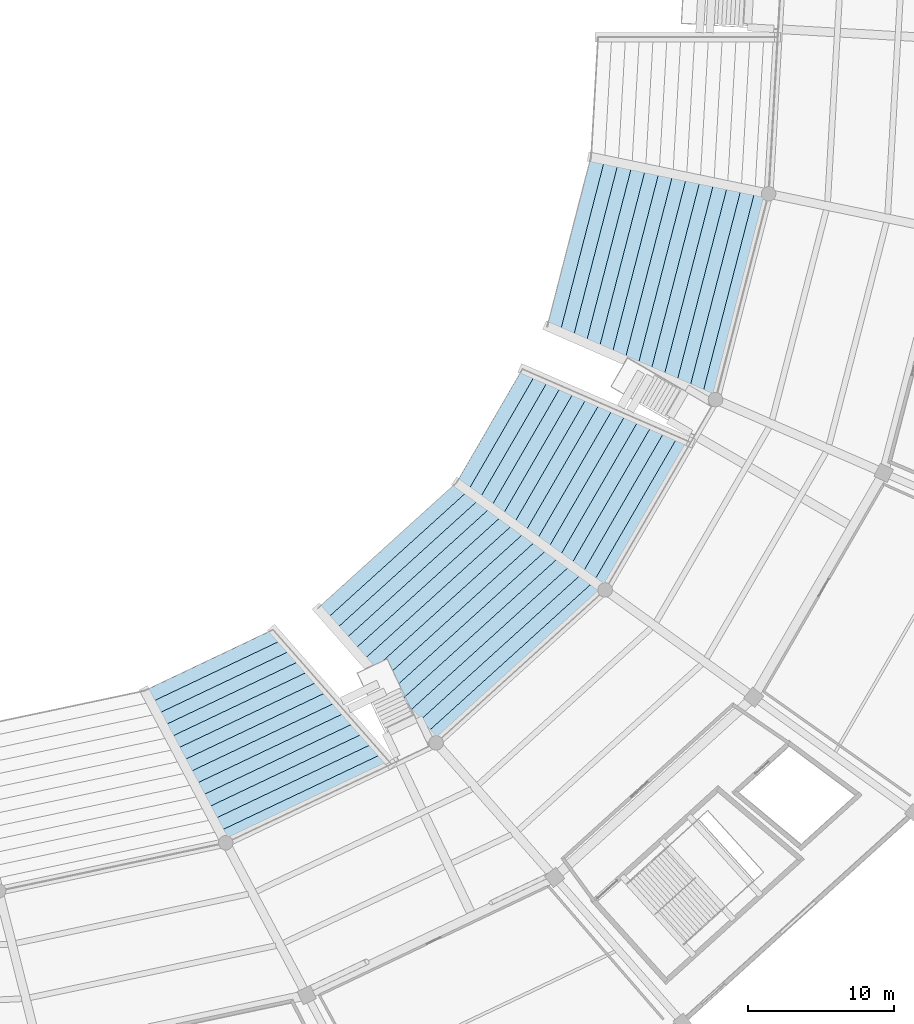
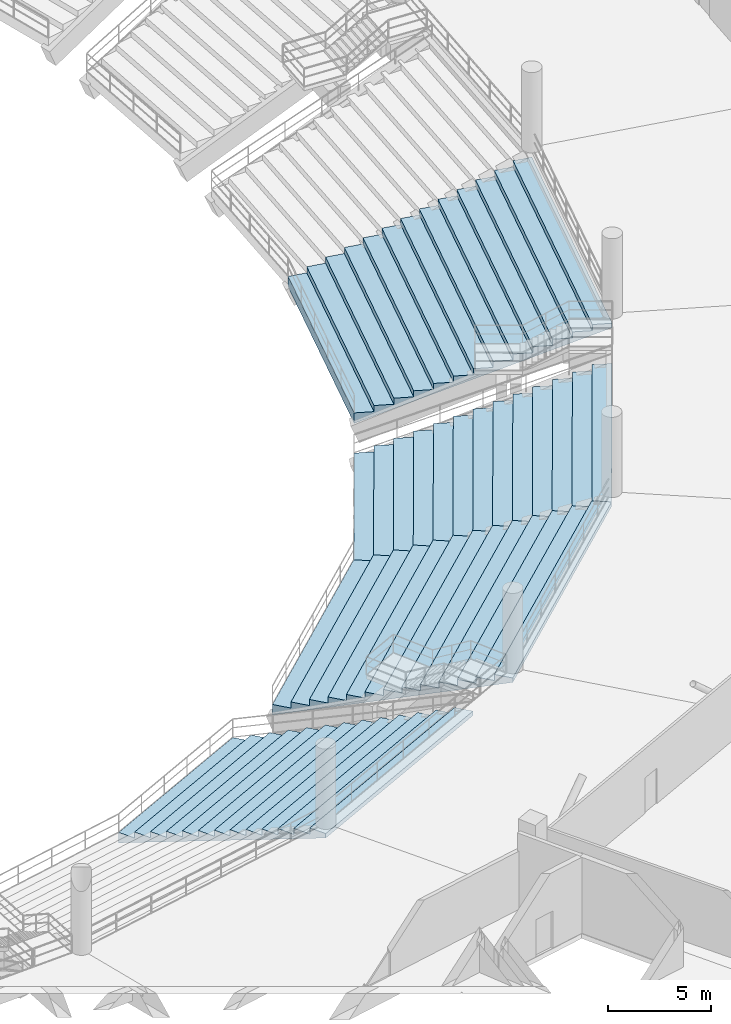
# One storey, part 112 of 156: 4 slabs.
"""IFC4 building model written with IfcOpenShell, lengths in metres."""

from ifc_helpers import new_model, si_unit, direction, frame, origin, place, context, subcontext, project, spatial, polygons, material, layer, layer_set, type_object, element, save


model = new_model("IFC4")

# Units and contexts
model_context = context("Model", 3, precision=1e-05, world=origin(), true_north=direction((0.0, 1.0)))
body_context = subcontext(model_context, "Body", "Model", "MODEL_VIEW")
ifc_project = project(units=[si_unit("LENGTHUNIT", "METRE"), si_unit("AREAUNIT", "SQUARE_METRE"), si_unit("VOLUMEUNIT", "CUBIC_METRE"), si_unit("PLANEANGLEUNIT", "RADIAN"), si_unit("MASSUNIT", "GRAM", prefix="KILO")], contexts=[model_context])

# Site, building, storey
site_placement = place(None, origin())
site = spatial("IfcSite", under=ifc_project, at=site_placement, CompositionType="ELEMENT")
building_placement = place(site_placement, origin())
building = spatial("IfcBuilding", under=site, at=building_placement, Name="Kazemori Nagisa Stadium", CompositionType="ELEMENT")
storey_placement = place(building_placement, frame((0.0, 0.0, 5.780029296875)))
storey = spatial("IfcBuildingStorey", under=building, at=storey_placement, Name="L01", CompositionType="ELEMENT", Elevation=5.780029296875)

# Slabs
ifc_material = material(Name="Concrete C36/45 (Fc36)", Category="concrete")
ifc_layer_1 = layer(ifc_material, 4.93994140625, Name="Concrete C36/45 (Fc36)", Category="concrete")
ifc_layer_set_1 = layer_set([ifc_layer_1], Name="Concrete C36/45 (Fc36)")
slab_type_1 = type_object("IfcSlabType", Name="SeatingTier_ST-LOW-13", PredefinedType="USERDEFINED", material=ifc_layer_set_1)
slab_1_placement = place(storey_placement, frame((0.0, 0.0, -5.780029296875)))
element("IfcSlab", 1, at=slab_1_placement, inside=storey, type_object=slab_type_1, Name="Stand lower tier bay 25", ObjectType="SEATING TIER", PredefinedType="USERDEFINED", context=body_context, shape_type="Tessellation", body=[
    polygons([(170.09716796875, 67.99951171875, 0.239990234375), (170.09716796875, 67.99951171875, 0.860107421875), (170.882080078125, 67.432861328125, 0.860107421875), (170.882080078125, 67.432861328125, 1.22021484375), (171.6669921875, 66.8662109375, 1.22021484375), (171.6669921875, 66.8662109375, 1.580322265625), (172.451904296875, 66.299560546875, 1.580322265625), (172.451904296875, 66.299560546875, 1.9404296875), (173.237060546875, 65.732666015625, 1.9404296875), (173.237060546875, 65.732666015625, 2.300537109375), (174.02197265625, 65.166015625, 2.300537109375), (174.02197265625, 65.166015625, 2.66064453125), (174.806884765625, 64.599365234375, 2.66064453125), (174.806884765625, 64.599365234375, 3.020751953125), (175.591796875, 64.03271484375, 3.020751953125), (175.591796875, 64.03271484375, 3.380859375), (176.376708984375, 63.466064453125, 3.380859375), (176.376708984375, 63.466064453125, 3.740966796875), (177.16162109375, 62.8994140625, 3.740966796875), (177.16162109375, 62.8994140625, 4.10107421875), (177.94677734375, 62.33251953125, 4.10107421875), (177.94677734375, 62.33251953125, 4.461181640625), (178.731689453125, 61.765869140625, 4.461181640625), (178.731689453125, 61.765869140625, 4.8212890625), (179.5166015625, 61.19921875, 4.8212890625), (179.5166015625, 61.19921875, 5.181396484375), (180.301513671875, 60.632568359375, 5.181396484375), (180.301513671875, 60.632568359375, 4.92138671875), (179.5166015625, 61.19921875, 4.561279296875), (178.731689453125, 61.765869140625, 4.201171875), (177.94677734375, 62.33251953125, 3.841064453125), (177.16162109375, 62.8994140625, 3.48095703125), (176.376708984375, 63.466064453125, 3.120849609375), (175.591796875, 64.03271484375, 2.7607421875), (174.806884765625, 64.599365234375, 2.400634765625), (174.02197265625, 65.166015625, 2.04052734375), (173.237060546875, 65.732666015625, 1.680419921875), (172.451904296875, 66.299560546875, 1.3203125), (171.6669921875, 66.8662109375, 0.960205078125), (170.882080078125, 67.432861328125, 0.60009765625), (160.558837890625, 59.364501953125, 0.239990234375), (160.558837890625, 59.364501953125, 0.860107421875), (161.184814453125, 58.65380859375, 0.860107421875), (161.184814453125, 58.65380859375, 1.22021484375), (161.810791015625, 57.943359375, 1.22021484375), (161.810791015625, 57.943359375, 1.580322265625), (162.436767578125, 57.232666015625, 1.580322265625), (162.436767578125, 57.232666015625, 1.9404296875), (163.062744140625, 56.522216796875, 1.9404296875), (163.062744140625, 56.522216796875, 2.300537109375), (163.688720703125, 55.8115234375, 2.300537109375), (163.688720703125, 55.8115234375, 2.66064453125), (164.314697265625, 55.10107421875, 2.66064453125), (164.314697265625, 55.10107421875, 3.020751953125), (164.940673828125, 54.390380859375, 3.020751953125), (164.940673828125, 54.390380859375, 3.380859375), (165.566650390625, 53.679931640625, 3.380859375), (165.566650390625, 53.679931640625, 3.740966796875), (166.192626953125, 52.96923828125, 3.740966796875), (166.192626953125, 52.96923828125, 4.10107421875), (166.818603515625, 52.2587890625, 4.10107421875), (166.818603515625, 52.2587890625, 4.461181640625), (167.444580078125, 51.548095703125, 4.461181640625), (167.444580078125, 51.548095703125, 4.8212890625), (168.070556640625, 50.837646484375, 4.8212890625), (168.070556640625, 50.837646484375, 5.181396484375), (168.696533203125, 50.126953125, 5.181396484375), (168.696533203125, 50.126953125, 4.92138671875), (168.070556640625, 50.837646484375, 4.561279296875), (167.444580078125, 51.548095703125, 4.201171875), (166.818603515625, 52.2587890625, 3.841064453125), (166.192626953125, 52.96923828125, 3.48095703125), (165.566650390625, 53.679931640625, 3.120849609375), (164.940673828125, 54.390380859375, 2.7607421875), (164.314697265625, 55.10107421875, 2.400634765625), (163.688720703125, 55.8115234375, 2.04052734375), (163.062744140625, 56.522216796875, 1.680419921875), (162.436767578125, 57.232666015625, 1.3203125), (161.810791015625, 57.943359375, 0.960205078125), (161.184814453125, 58.65380859375, 0.60009765625)], [[[1, 41, 42]], [[1, 42, 2]], [[2, 42, 43]], [[2, 43, 3]], [[3, 43, 44]], [[3, 44, 4]], [[4, 44, 45]], [[4, 45, 5]], [[5, 45, 46]], [[5, 46, 6]], [[6, 46, 47]], [[6, 47, 7]], [[7, 47, 48]], [[7, 48, 8]], [[8, 48, 49]], [[8, 49, 9]], [[9, 49, 50]], [[9, 50, 10]], [[10, 50, 51]], [[10, 51, 11]], [[11, 51, 52]], [[11, 52, 12]], [[12, 52, 53]], [[12, 53, 13]], [[13, 53, 54]], [[13, 54, 14]], [[14, 54, 55]], [[14, 55, 15]], [[15, 55, 56]], [[15, 56, 16]], [[16, 56, 57]], [[16, 57, 17]], [[17, 57, 58]], [[17, 58, 18]], [[18, 58, 59]], [[18, 59, 19]], [[19, 59, 60]], [[19, 60, 20]], [[20, 60, 61]], [[20, 61, 21]], [[21, 61, 62]], [[21, 62, 22]], [[22, 62, 63]], [[22, 63, 23]], [[23, 63, 64]], [[23, 64, 24]], [[24, 64, 65]], [[24, 65, 25]], [[25, 65, 66]], [[25, 66, 26]], [[26, 66, 67]], [[26, 67, 27]], [[27, 67, 68]], [[27, 68, 28]], [[28, 68, 29]], [[29, 68, 69]], [[29, 69, 30]], [[30, 69, 70]], [[30, 70, 31]], [[31, 70, 71]], [[31, 71, 32]], [[32, 71, 72]], [[32, 72, 33]], [[33, 72, 73]], [[33, 73, 34]], [[34, 73, 74]], [[34, 74, 35]], [[35, 74, 75]], [[35, 75, 36]], [[36, 75, 76]], [[36, 76, 37]], [[37, 76, 77]], [[37, 77, 38]], [[38, 77, 78]], [[38, 78, 39]], [[39, 78, 79]], [[39, 79, 40]], [[40, 79, 80]], [[40, 80, 1]], [[1, 80, 41]], [[1, 2, 3]], [[43, 42, 41]], [[1, 3, 40]], [[80, 43, 41]], [[40, 3, 39]], [[79, 43, 80]], [[39, 3, 5]], [[45, 43, 79]], [[3, 4, 5]], [[45, 44, 43]], [[39, 5, 38]], [[78, 45, 79]], [[38, 5, 7]], [[47, 45, 78]], [[5, 6, 7]], [[47, 46, 45]], [[38, 7, 37]], [[77, 47, 78]], [[37, 7, 9]], [[49, 47, 77]], [[7, 8, 9]], [[49, 48, 47]], [[37, 9, 36]], [[76, 49, 77]], [[36, 9, 11]], [[51, 49, 76]], [[9, 10, 11]], [[51, 50, 49]], [[36, 11, 35]], [[75, 51, 76]], [[35, 11, 13]], [[53, 51, 75]], [[11, 12, 13]], [[53, 52, 51]], [[35, 13, 34]], [[74, 53, 75]], [[34, 13, 15]], [[55, 53, 74]], [[13, 14, 15]], [[55, 54, 53]], [[34, 15, 33]], [[73, 55, 74]], [[33, 15, 17]], [[57, 55, 73]], [[15, 16, 17]], [[57, 56, 55]], [[33, 17, 32]], [[72, 57, 73]], [[32, 17, 19]], [[59, 57, 72]], [[17, 18, 19]], [[59, 58, 57]], [[32, 19, 31]], [[71, 59, 72]], [[31, 19, 21]], [[61, 59, 71]], [[19, 20, 21]], [[61, 60, 59]], [[31, 21, 30]], [[70, 61, 71]], [[30, 21, 23]], [[63, 61, 70]], [[21, 22, 23]], [[63, 62, 61]], [[30, 23, 29]], [[69, 63, 70]], [[29, 23, 25]], [[65, 63, 69]], [[23, 24, 25]], [[65, 64, 63]], [[29, 25, 28]], [[68, 65, 69]], [[28, 25, 27]], [[67, 65, 68]], [[25, 26, 27]], [[67, 66, 65]]], closed=True),
])
slab_2_placement = place(storey_placement, frame((0.0, 0.0, -5.780029296875)))
element("IfcSlab", 2, at=slab_2_placement, inside=storey, type_object=slab_type_1, Name="Stand lower tier bay 27", ObjectType="SEATING TIER", PredefinedType="USERDEFINED", context=body_context, shape_type="Tessellation", body=[
    polygons([(179.328369140625, 90.361328125, 0.239990234375), (179.328369140625, 90.361328125, 0.860107421875), (180.26708984375, 90.167236328125, 0.860107421875), (180.26708984375, 90.167236328125, 1.22021484375), (181.2060546875, 89.973388671875, 1.22021484375), (181.2060546875, 89.973388671875, 1.580322265625), (182.144775390625, 89.779296875, 1.580322265625), (182.144775390625, 89.779296875, 1.9404296875), (183.083740234375, 89.58544921875, 1.9404296875), (183.083740234375, 89.58544921875, 2.300537109375), (184.0224609375, 89.391357421875, 2.300537109375), (184.0224609375, 89.391357421875, 2.66064453125), (184.961181640625, 89.197509765625, 2.66064453125), (184.961181640625, 89.197509765625, 3.020751953125), (185.900146484375, 89.00341796875, 3.020751953125), (185.900146484375, 89.00341796875, 3.380859375), (186.8388671875, 88.8095703125, 3.380859375), (186.8388671875, 88.8095703125, 3.740966796875), (187.777587890625, 88.615478515625, 3.740966796875), (187.777587890625, 88.615478515625, 4.10107421875), (188.716552734375, 88.421630859375, 4.10107421875), (188.716552734375, 88.421630859375, 4.461181640625), (189.6552734375, 88.2275390625, 4.461181640625), (189.6552734375, 88.2275390625, 4.8212890625), (190.59423828125, 88.03369140625, 4.8212890625), (190.59423828125, 88.03369140625, 5.181396484375), (191.532958984375, 87.839599609375, 5.181396484375), (191.532958984375, 87.839599609375, 4.92138671875), (190.59423828125, 88.03369140625, 4.561279296875), (189.6552734375, 88.2275390625, 4.201171875), (188.716552734375, 88.421630859375, 3.841064453125), (187.777587890625, 88.615478515625, 3.48095703125), (186.8388671875, 88.8095703125, 3.120849609375), (185.900146484375, 89.00341796875, 2.7607421875), (184.961181640625, 89.197509765625, 2.400634765625), (184.0224609375, 89.391357421875, 2.04052734375), (183.083740234375, 89.58544921875, 1.680419921875), (182.144775390625, 89.779296875, 1.3203125), (181.2060546875, 89.973388671875, 0.960205078125), (180.26708984375, 90.167236328125, 0.60009765625), (176.3310546875, 78.750244140625, 0.239990234375), (176.3310546875, 78.750244140625, 0.860107421875), (177.219970703125, 78.36279296875, 0.860107421875), (177.219970703125, 78.36279296875, 1.22021484375), (178.108642578125, 77.975341796875, 1.22021484375), (178.108642578125, 77.975341796875, 1.580322265625), (178.99755859375, 77.587890625, 1.580322265625), (178.99755859375, 77.587890625, 1.9404296875), (179.886474609375, 77.2001953125, 1.9404296875), (179.886474609375, 77.2001953125, 2.300537109375), (180.775146484375, 76.812744140625, 2.300537109375), (180.775146484375, 76.812744140625, 2.66064453125), (181.6640625, 76.42529296875, 2.66064453125), (181.6640625, 76.42529296875, 3.020751953125), (182.552978515625, 76.037841796875, 3.020751953125), (182.552978515625, 76.037841796875, 3.380859375), (183.44189453125, 75.650390625, 3.380859375), (183.44189453125, 75.650390625, 3.740966796875), (184.33056640625, 75.262939453125, 3.740966796875), (184.33056640625, 75.262939453125, 4.10107421875), (185.219482421875, 74.875244140625, 4.10107421875), (185.219482421875, 74.875244140625, 4.461181640625), (186.1083984375, 74.48779296875, 4.461181640625), (186.1083984375, 74.48779296875, 4.8212890625), (186.9970703125, 74.100341796875, 4.8212890625), (186.9970703125, 74.100341796875, 5.181396484375), (187.885986328125, 73.712890625, 5.181396484375), (187.885986328125, 73.712890625, 4.92138671875), (186.9970703125, 74.100341796875, 4.561279296875), (186.1083984375, 74.48779296875, 4.201171875), (185.219482421875, 74.875244140625, 3.841064453125), (184.33056640625, 75.262939453125, 3.48095703125), (183.44189453125, 75.650390625, 3.120849609375), (182.552978515625, 76.037841796875, 2.7607421875), (181.6640625, 76.42529296875, 2.400634765625), (180.775146484375, 76.812744140625, 2.04052734375), (179.886474609375, 77.2001953125, 1.680419921875), (178.99755859375, 77.587890625, 1.3203125), (178.108642578125, 77.975341796875, 0.960205078125), (177.219970703125, 78.36279296875, 0.60009765625)], [[[1, 41, 42]], [[1, 42, 2]], [[2, 42, 43]], [[2, 43, 3]], [[3, 43, 44]], [[3, 44, 4]], [[4, 44, 45]], [[4, 45, 5]], [[5, 45, 46]], [[5, 46, 6]], [[6, 46, 47]], [[6, 47, 7]], [[7, 47, 48]], [[7, 48, 8]], [[8, 48, 49]], [[8, 49, 9]], [[9, 49, 50]], [[9, 50, 10]], [[10, 50, 51]], [[10, 51, 11]], [[11, 51, 52]], [[11, 52, 12]], [[12, 52, 53]], [[12, 53, 13]], [[13, 53, 54]], [[13, 54, 14]], [[14, 54, 55]], [[14, 55, 15]], [[15, 55, 56]], [[15, 56, 16]], [[16, 56, 57]], [[16, 57, 17]], [[17, 57, 58]], [[17, 58, 18]], [[18, 58, 59]], [[18, 59, 19]], [[19, 59, 60]], [[19, 60, 20]], [[20, 60, 61]], [[20, 61, 21]], [[21, 61, 62]], [[21, 62, 22]], [[22, 62, 63]], [[22, 63, 23]], [[23, 63, 64]], [[23, 64, 24]], [[24, 64, 65]], [[24, 65, 25]], [[25, 65, 66]], [[25, 66, 26]], [[26, 66, 67]], [[26, 67, 27]], [[27, 67, 68]], [[27, 68, 28]], [[28, 68, 29]], [[29, 68, 69]], [[29, 69, 30]], [[30, 69, 70]], [[30, 70, 31]], [[31, 70, 71]], [[31, 71, 32]], [[32, 71, 72]], [[32, 72, 33]], [[33, 72, 73]], [[33, 73, 34]], [[34, 73, 74]], [[34, 74, 35]], [[35, 74, 75]], [[35, 75, 36]], [[36, 75, 76]], [[36, 76, 37]], [[37, 76, 77]], [[37, 77, 38]], [[38, 77, 78]], [[38, 78, 39]], [[39, 78, 79]], [[39, 79, 40]], [[40, 79, 80]], [[40, 80, 1]], [[1, 80, 41]], [[1, 2, 3]], [[43, 42, 41]], [[1, 3, 40]], [[80, 43, 41]], [[40, 3, 39]], [[79, 43, 80]], [[39, 3, 5]], [[45, 43, 79]], [[3, 4, 5]], [[45, 44, 43]], [[39, 5, 38]], [[78, 45, 79]], [[38, 5, 7]], [[47, 45, 78]], [[5, 6, 7]], [[47, 46, 45]], [[38, 7, 37]], [[77, 47, 78]], [[37, 7, 9]], [[49, 47, 77]], [[7, 8, 9]], [[49, 48, 47]], [[37, 9, 36]], [[76, 49, 77]], [[36, 9, 11]], [[51, 49, 76]], [[9, 10, 11]], [[51, 50, 49]], [[36, 11, 35]], [[75, 51, 76]], [[35, 11, 13]], [[53, 51, 75]], [[11, 12, 13]], [[53, 52, 51]], [[35, 13, 34]], [[74, 53, 75]], [[34, 13, 15]], [[55, 53, 74]], [[13, 14, 15]], [[55, 54, 53]], [[34, 15, 33]], [[73, 55, 74]], [[33, 15, 17]], [[57, 55, 73]], [[15, 16, 17]], [[57, 56, 55]], [[33, 17, 32]], [[72, 57, 73]], [[32, 17, 19]], [[59, 57, 72]], [[17, 18, 19]], [[59, 58, 57]], [[32, 19, 31]], [[71, 59, 72]], [[31, 19, 21]], [[61, 59, 71]], [[19, 20, 21]], [[61, 60, 59]], [[31, 21, 30]], [[70, 61, 71]], [[30, 21, 23]], [[63, 61, 70]], [[21, 22, 23]], [[63, 62, 61]], [[30, 23, 29]], [[69, 63, 70]], [[29, 23, 25]], [[65, 63, 69]], [[23, 24, 25]], [[65, 64, 63]], [[29, 25, 28]], [[68, 65, 69]], [[28, 25, 27]], [[67, 65, 68]], [[25, 26, 27]], [[67, 66, 65]]], closed=True),
])
ifc_layer_2 = layer(ifc_material, 4.93994140625, Name="Concrete C36/45 (Fc36)", Category="concrete")
ifc_layer_set_2 = layer_set([ifc_layer_2], Name="Concrete C36/45 (Fc36)")
slab_type_2 = type_object("IfcSlabType", Name="SeatingTier_ST-LOW-13V", PredefinedType="USERDEFINED", material=ifc_layer_set_2)
slab_3_placement = place(storey_placement, frame((0.0, 0.0, -5.780029296875)))
element("IfcSlab", 3, at=slab_3_placement, inside=storey, type_object=slab_type_2, Name="Stand lower tier bay 24", ObjectType="SEATING TIER", PredefinedType="USERDEFINED", context=body_context, shape_type="Tessellation", body=[
    polygons([(157.48779296875, 57.9052734375, 0.239990234375), (157.48779296875, 57.9052734375, 0.860107421875), (158.11376953125, 57.194580078125, 0.860107421875), (158.11376953125, 57.194580078125, 1.22021484375), (158.73974609375, 56.484130859375, 1.22021484375), (158.73974609375, 56.484130859375, 1.580322265625), (159.36572265625, 55.7734375, 1.580322265625), (159.36572265625, 55.7734375, 1.9404296875), (159.99169921875, 55.06298828125, 1.9404296875), (159.99169921875, 55.06298828125, 2.300537109375), (160.61767578125, 54.352294921875, 2.300537109375), (160.61767578125, 54.352294921875, 2.66064453125), (161.24365234375, 53.641845703125, 2.66064453125), (161.24365234375, 53.641845703125, 3.020751953125), (161.86962890625, 52.93115234375, 3.020751953125), (161.86962890625, 52.93115234375, 3.380859375), (162.49560546875, 52.220703125, 3.380859375), (162.49560546875, 52.220703125, 3.740966796875), (163.12158203125, 51.510009765625, 3.740966796875), (163.12158203125, 51.510009765625, 4.10107421875), (163.74755859375, 50.799560546875, 4.10107421875), (163.74755859375, 50.799560546875, 4.461181640625), (164.37353515625, 50.0888671875, 4.461181640625), (164.37353515625, 50.0888671875, 4.8212890625), (164.99951171875, 49.37841796875, 4.8212890625), (164.99951171875, 49.37841796875, 5.181396484375), (165.62548828125, 48.667724609375, 5.181396484375), (165.62548828125, 48.667724609375, 4.92138671875), (164.99951171875, 49.37841796875, 4.561279296875), (164.37353515625, 50.0888671875, 4.201171875), (163.74755859375, 50.799560546875, 3.841064453125), (163.12158203125, 51.510009765625, 3.48095703125), (162.49560546875, 52.220703125, 3.120849609375), (161.86962890625, 52.93115234375, 2.7607421875), (161.24365234375, 53.641845703125, 2.400634765625), (160.61767578125, 54.352294921875, 2.04052734375), (159.99169921875, 55.06298828125, 1.680419921875), (159.36572265625, 55.7734375, 1.3203125), (158.73974609375, 56.484130859375, 0.960205078125), (158.11376953125, 57.194580078125, 0.60009765625), (148.682861328125, 53.721435546875, 0.239990234375), (148.682861328125, 53.721435546875, 0.860107421875), (149.11083984375, 52.916748046875, 0.860107421875), (149.11083984375, 52.916748046875, 1.22021484375), (149.5390625, 52.112060546875, 1.22021484375), (149.5390625, 52.112060546875, 1.580322265625), (149.967041015625, 51.307373046875, 1.580322265625), (149.967041015625, 51.307373046875, 1.9404296875), (150.39501953125, 50.5029296875, 1.9404296875), (150.39501953125, 50.5029296875, 2.300537109375), (150.8232421875, 49.6982421875, 2.300537109375), (150.8232421875, 49.6982421875, 2.66064453125), (151.251220703125, 48.8935546875, 2.66064453125), (151.251220703125, 48.8935546875, 3.020751953125), (151.67919921875, 48.0888671875, 3.020751953125), (151.67919921875, 48.0888671875, 3.380859375), (152.107177734375, 47.2841796875, 3.380859375), (152.107177734375, 47.2841796875, 3.740966796875), (152.535400390625, 46.4794921875, 3.740966796875), (152.535400390625, 46.4794921875, 4.10107421875), (152.96337890625, 45.675048828125, 4.10107421875), (152.96337890625, 45.675048828125, 4.461181640625), (153.391357421875, 44.870361328125, 4.461181640625), (153.391357421875, 44.870361328125, 4.8212890625), (153.819580078125, 44.065673828125, 4.8212890625), (153.819580078125, 44.065673828125, 5.181396484375), (154.24755859375, 43.260986328125, 5.181396484375), (154.24755859375, 43.260986328125, 4.92138671875), (153.819580078125, 44.065673828125, 4.561279296875), (153.391357421875, 44.870361328125, 4.201171875), (152.96337890625, 45.675048828125, 3.841064453125), (152.535400390625, 46.4794921875, 3.48095703125), (152.107177734375, 47.2841796875, 3.120849609375), (151.67919921875, 48.0888671875, 2.7607421875), (151.251220703125, 48.8935546875, 2.400634765625), (150.8232421875, 49.6982421875, 2.04052734375), (150.39501953125, 50.5029296875, 1.680419921875), (149.967041015625, 51.307373046875, 1.3203125), (149.5390625, 52.112060546875, 0.960205078125), (149.11083984375, 52.916748046875, 0.60009765625)], [[[1, 41, 42]], [[1, 42, 2]], [[2, 42, 43]], [[2, 43, 3]], [[3, 43, 44]], [[3, 44, 4]], [[4, 44, 45]], [[4, 45, 5]], [[5, 45, 46]], [[5, 46, 6]], [[6, 46, 47]], [[6, 47, 7]], [[7, 47, 48]], [[7, 48, 8]], [[8, 48, 49]], [[8, 49, 9]], [[9, 49, 50]], [[9, 50, 10]], [[10, 50, 51]], [[10, 51, 11]], [[11, 51, 52]], [[11, 52, 12]], [[12, 52, 53]], [[12, 53, 13]], [[13, 53, 54]], [[13, 54, 14]], [[14, 54, 55]], [[14, 55, 15]], [[15, 55, 56]], [[15, 56, 16]], [[16, 56, 57]], [[16, 57, 17]], [[17, 57, 58]], [[17, 58, 18]], [[18, 58, 59]], [[18, 59, 19]], [[19, 59, 60]], [[19, 60, 20]], [[20, 60, 61]], [[20, 61, 21]], [[21, 61, 62]], [[21, 62, 22]], [[22, 62, 63]], [[22, 63, 23]], [[23, 63, 64]], [[23, 64, 24]], [[24, 64, 65]], [[24, 65, 25]], [[25, 65, 66]], [[25, 66, 26]], [[26, 66, 67]], [[26, 67, 27]], [[27, 67, 68]], [[27, 68, 28]], [[28, 68, 29]], [[29, 68, 69]], [[29, 69, 30]], [[30, 69, 70]], [[30, 70, 31]], [[31, 70, 71]], [[31, 71, 32]], [[32, 71, 72]], [[32, 72, 33]], [[33, 72, 73]], [[33, 73, 34]], [[34, 73, 74]], [[34, 74, 35]], [[35, 74, 75]], [[35, 75, 36]], [[36, 75, 76]], [[36, 76, 37]], [[37, 76, 77]], [[37, 77, 38]], [[38, 77, 78]], [[38, 78, 39]], [[39, 78, 79]], [[39, 79, 40]], [[40, 79, 80]], [[40, 80, 1]], [[1, 80, 41]], [[1, 2, 3]], [[43, 42, 41]], [[1, 3, 40]], [[80, 43, 41]], [[40, 3, 39]], [[79, 43, 80]], [[39, 3, 5]], [[45, 43, 79]], [[3, 4, 5]], [[45, 44, 43]], [[39, 5, 38]], [[78, 45, 79]], [[38, 5, 7]], [[47, 45, 78]], [[5, 6, 7]], [[47, 46, 45]], [[38, 7, 37]], [[77, 47, 78]], [[37, 7, 9]], [[49, 47, 77]], [[7, 8, 9]], [[49, 48, 47]], [[37, 9, 36]], [[76, 49, 77]], [[36, 9, 11]], [[51, 49, 76]], [[9, 10, 11]], [[51, 50, 49]], [[36, 11, 35]], [[75, 51, 76]], [[35, 11, 13]], [[53, 51, 75]], [[11, 12, 13]], [[53, 52, 51]], [[35, 13, 34]], [[74, 53, 75]], [[34, 13, 15]], [[55, 53, 74]], [[13, 14, 15]], [[55, 54, 53]], [[34, 15, 33]], [[73, 55, 74]], [[33, 15, 17]], [[57, 55, 73]], [[15, 16, 17]], [[57, 56, 55]], [[33, 17, 32]], [[72, 57, 73]], [[32, 17, 19]], [[59, 57, 72]], [[17, 18, 19]], [[59, 58, 57]], [[32, 19, 31]], [[71, 59, 72]], [[31, 19, 21]], [[61, 59, 71]], [[19, 20, 21]], [[61, 60, 59]], [[31, 21, 30]], [[70, 61, 71]], [[30, 21, 23]], [[63, 61, 70]], [[21, 22, 23]], [[63, 62, 61]], [[30, 23, 29]], [[69, 63, 70]], [[29, 23, 25]], [[65, 63, 69]], [[23, 24, 25]], [[65, 64, 63]], [[29, 25, 28]], [[68, 65, 69]], [[28, 25, 27]], [[67, 65, 68]], [[25, 26, 27]], [[67, 66, 65]]], closed=True),
])
slab_4_placement = place(storey_placement, frame((0.0, 0.0, -5.780029296875)))
element("IfcSlab", 4, at=slab_4_placement, inside=storey, type_object=slab_type_2, Name="Stand lower tier bay 26", ObjectType="SEATING TIER", PredefinedType="USERDEFINED", context=body_context, shape_type="Tessellation", body=[
    polygons([(174.62548828125, 75.808837890625, 0.239990234375), (174.62548828125, 75.808837890625, 0.860107421875), (175.514404296875, 75.42138671875, 0.860107421875), (175.514404296875, 75.42138671875, 1.22021484375), (176.403076171875, 75.033935546875, 1.22021484375), (176.403076171875, 75.033935546875, 1.580322265625), (177.2919921875, 74.646484375, 1.580322265625), (177.2919921875, 74.646484375, 1.9404296875), (178.180908203125, 74.2587890625, 1.9404296875), (178.180908203125, 74.2587890625, 2.300537109375), (179.069580078125, 73.871337890625, 2.300537109375), (179.069580078125, 73.871337890625, 2.66064453125), (179.95849609375, 73.48388671875, 2.66064453125), (179.95849609375, 73.48388671875, 3.020751953125), (180.847412109375, 73.096435546875, 3.020751953125), (180.847412109375, 73.096435546875, 3.380859375), (181.736328125, 72.708984375, 3.380859375), (181.736328125, 72.708984375, 3.740966796875), (182.625, 72.321533203125, 3.740966796875), (182.625, 72.321533203125, 4.10107421875), (183.513916015625, 71.933837890625, 4.10107421875), (183.513916015625, 71.933837890625, 4.461181640625), (184.40283203125, 71.54638671875, 4.461181640625), (184.40283203125, 71.54638671875, 4.8212890625), (185.29150390625, 71.158935546875, 4.8212890625), (185.29150390625, 71.158935546875, 5.181396484375), (186.180419921875, 70.771484375, 5.181396484375), (186.180419921875, 70.771484375, 4.92138671875), (185.29150390625, 71.158935546875, 4.561279296875), (184.40283203125, 71.54638671875, 4.201171875), (183.513916015625, 71.933837890625, 3.841064453125), (182.625, 72.321533203125, 3.48095703125), (181.736328125, 72.708984375, 3.120849609375), (180.847412109375, 73.096435546875, 2.7607421875), (179.95849609375, 73.48388671875, 2.400634765625), (179.069580078125, 73.871337890625, 2.04052734375), (178.180908203125, 74.2587890625, 1.680419921875), (177.2919921875, 74.646484375, 1.3203125), (176.403076171875, 75.033935546875, 0.960205078125), (175.514404296875, 75.42138671875, 0.60009765625), (170.09716796875, 67.99951171875, 0.239990234375), (170.09716796875, 67.99951171875, 0.860107421875), (170.882080078125, 67.432861328125, 0.860107421875), (170.882080078125, 67.432861328125, 1.22021484375), (171.6669921875, 66.8662109375, 1.22021484375), (171.6669921875, 66.8662109375, 1.580322265625), (172.451904296875, 66.299560546875, 1.580322265625), (172.451904296875, 66.299560546875, 1.9404296875), (173.237060546875, 65.732666015625, 1.9404296875), (173.237060546875, 65.732666015625, 2.300537109375), (174.02197265625, 65.166015625, 2.300537109375), (174.02197265625, 65.166015625, 2.66064453125), (174.806884765625, 64.599365234375, 2.66064453125), (174.806884765625, 64.599365234375, 3.020751953125), (175.591796875, 64.03271484375, 3.020751953125), (175.591796875, 64.03271484375, 3.380859375), (176.376708984375, 63.466064453125, 3.380859375), (176.376708984375, 63.466064453125, 3.740966796875), (177.16162109375, 62.8994140625, 3.740966796875), (177.16162109375, 62.8994140625, 4.10107421875), (177.94677734375, 62.33251953125, 4.10107421875), (177.94677734375, 62.33251953125, 4.461181640625), (178.731689453125, 61.765869140625, 4.461181640625), (178.731689453125, 61.765869140625, 4.8212890625), (179.5166015625, 61.19921875, 4.8212890625), (179.5166015625, 61.19921875, 5.181396484375), (180.301513671875, 60.632568359375, 5.181396484375), (180.301513671875, 60.632568359375, 4.92138671875), (179.5166015625, 61.19921875, 4.561279296875), (178.731689453125, 61.765869140625, 4.201171875), (177.94677734375, 62.33251953125, 3.841064453125), (177.16162109375, 62.8994140625, 3.48095703125), (176.376708984375, 63.466064453125, 3.120849609375), (175.591796875, 64.03271484375, 2.7607421875), (174.806884765625, 64.599365234375, 2.400634765625), (174.02197265625, 65.166015625, 2.04052734375), (173.237060546875, 65.732666015625, 1.680419921875), (172.451904296875, 66.299560546875, 1.3203125), (171.6669921875, 66.8662109375, 0.960205078125), (170.882080078125, 67.432861328125, 0.60009765625)], [[[1, 41, 42]], [[1, 42, 2]], [[2, 42, 43]], [[2, 43, 3]], [[3, 43, 44]], [[3, 44, 4]], [[4, 44, 45]], [[4, 45, 5]], [[5, 45, 46]], [[5, 46, 6]], [[6, 46, 47]], [[6, 47, 7]], [[7, 47, 48]], [[7, 48, 8]], [[8, 48, 49]], [[8, 49, 9]], [[9, 49, 50]], [[9, 50, 10]], [[10, 50, 51]], [[10, 51, 11]], [[11, 51, 52]], [[11, 52, 12]], [[12, 52, 53]], [[12, 53, 13]], [[13, 53, 54]], [[13, 54, 14]], [[14, 54, 55]], [[14, 55, 15]], [[15, 55, 56]], [[15, 56, 16]], [[16, 56, 57]], [[16, 57, 17]], [[17, 57, 58]], [[17, 58, 18]], [[18, 58, 59]], [[18, 59, 19]], [[19, 59, 60]], [[19, 60, 20]], [[20, 60, 61]], [[20, 61, 21]], [[21, 61, 62]], [[21, 62, 22]], [[22, 62, 63]], [[22, 63, 23]], [[23, 63, 64]], [[23, 64, 24]], [[24, 64, 65]], [[24, 65, 25]], [[25, 65, 66]], [[25, 66, 26]], [[26, 66, 67]], [[26, 67, 27]], [[27, 67, 68]], [[27, 68, 28]], [[28, 68, 29]], [[29, 68, 69]], [[29, 69, 30]], [[30, 69, 70]], [[30, 70, 31]], [[31, 70, 71]], [[31, 71, 32]], [[32, 71, 72]], [[32, 72, 33]], [[33, 72, 73]], [[33, 73, 34]], [[34, 73, 74]], [[34, 74, 35]], [[35, 74, 75]], [[35, 75, 36]], [[36, 75, 76]], [[36, 76, 37]], [[37, 76, 77]], [[37, 77, 38]], [[38, 77, 78]], [[38, 78, 39]], [[39, 78, 79]], [[39, 79, 40]], [[40, 79, 80]], [[40, 80, 1]], [[1, 80, 41]], [[1, 2, 3]], [[43, 42, 41]], [[1, 3, 40]], [[80, 43, 41]], [[40, 3, 39]], [[79, 43, 80]], [[39, 3, 5]], [[45, 43, 79]], [[3, 4, 5]], [[45, 44, 43]], [[39, 5, 38]], [[78, 45, 79]], [[38, 5, 7]], [[47, 45, 78]], [[5, 6, 7]], [[47, 46, 45]], [[38, 7, 37]], [[77, 47, 78]], [[37, 7, 9]], [[49, 47, 77]], [[7, 8, 9]], [[49, 48, 47]], [[37, 9, 36]], [[76, 49, 77]], [[36, 9, 11]], [[51, 49, 76]], [[9, 10, 11]], [[51, 50, 49]], [[36, 11, 35]], [[75, 51, 76]], [[35, 11, 13]], [[53, 51, 75]], [[11, 12, 13]], [[53, 52, 51]], [[35, 13, 34]], [[74, 53, 75]], [[34, 13, 15]], [[55, 53, 74]], [[13, 14, 15]], [[55, 54, 53]], [[34, 15, 33]], [[73, 55, 74]], [[33, 15, 17]], [[57, 55, 73]], [[15, 16, 17]], [[57, 56, 55]], [[33, 17, 32]], [[72, 57, 73]], [[32, 17, 19]], [[59, 57, 72]], [[17, 18, 19]], [[59, 58, 57]], [[32, 19, 31]], [[71, 59, 72]], [[31, 19, 21]], [[61, 59, 71]], [[19, 20, 21]], [[61, 60, 59]], [[31, 21, 30]], [[70, 61, 71]], [[30, 21, 23]], [[63, 61, 70]], [[21, 22, 23]], [[63, 62, 61]], [[30, 23, 29]], [[69, 63, 70]], [[29, 23, 25]], [[65, 63, 69]], [[23, 24, 25]], [[65, 64, 63]], [[29, 25, 28]], [[68, 65, 69]], [[28, 25, 27]], [[67, 65, 68]], [[25, 26, 27]], [[67, 66, 65]]], closed=True),
])

save(model, "model.ifc")
